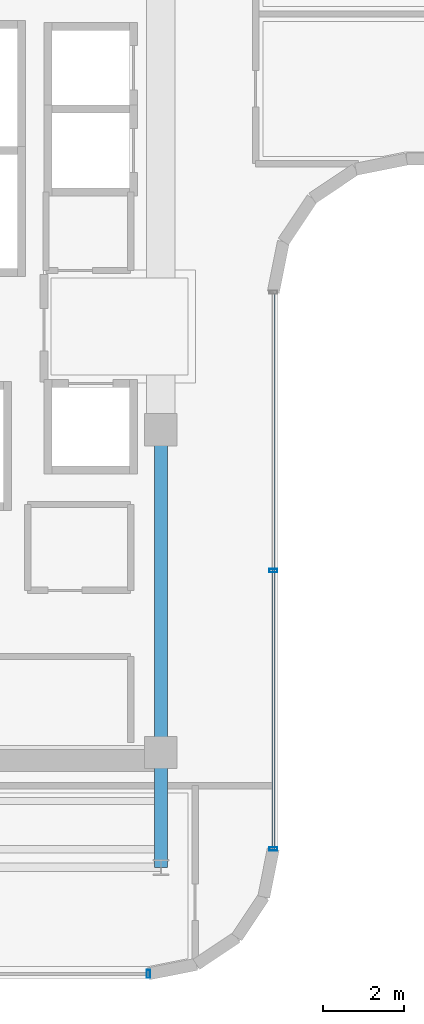
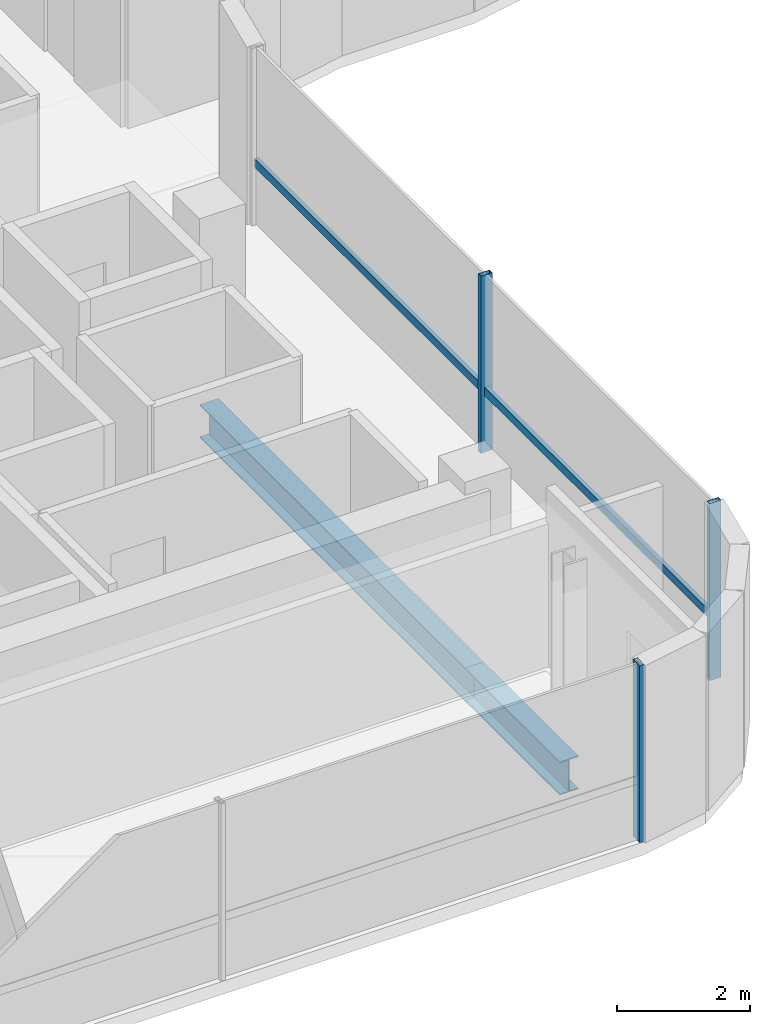
# One storey, part 5 of 18: 4 members, 2 beams, 2 elements without a shape of their own.
"""IFC4 building model written with IfcOpenShell, lengths in metres."""

from ifc_helpers import new_model, si_unit, direction, frame, origin, origin_2d, place, context, subcontext, project, spatial, hollow_rectangle, i_section, extrude, source, transform, mapped, material, material_profile, profile_set, type_object, element, aggregate, save


model = new_model("IFC4")

# Units and contexts
model_context = context("Model", 3, precision=1e-05, world=origin(), true_north=direction((0.0, 1.0)))
body_context = subcontext(model_context, "Body", "Model", "MODEL_VIEW")
ifc_project = project(units=[si_unit("LENGTHUNIT", "METRE"), si_unit("AREAUNIT", "SQUARE_METRE"), si_unit("VOLUMEUNIT", "CUBIC_METRE"), si_unit("PLANEANGLEUNIT", "RADIAN"), si_unit("MASSUNIT", "GRAM", prefix="KILO")], contexts=[model_context])

# Site, building, storey
site_placement = place(None, origin())
site = spatial("IfcSite", under=ifc_project, at=site_placement, CompositionType="ELEMENT")
building_placement = place(site_placement, origin())
building = spatial("IfcBuilding", under=site, at=building_placement, Name="Valdorenza Pilgrim Sanctuary Tower", CompositionType="ELEMENT")
storey_placement = place(building_placement, frame((0.0, 0.0, 247.5)))
storey = spatial("IfcBuildingStorey", under=building, at=storey_placement, Name="L64", CompositionType="ELEMENT", Elevation=247.5)

# Beams
ifc_material_1 = material(Name="Steel ASTM A992 Grade 50", Category="steel")
ifc_material_profile_1 = material_profile(ifc_material_1, i_section(OverallWidth=0.323974609375, OverallDepth=0.611083984375, WebThickness=0.0126953125, FlangeThickness=0.01904296875, at=origin_2d()), Name="W24X104")
ifc_profile_set_1 = profile_set([ifc_material_profile_1], Name="Steel ASTM A992 Grade 50")
beam_type = type_object("IfcBeamType", Name="STR-BM-GRD-W24B", PredefinedType="BEAM", material=ifc_profile_set_1)
shared_shape_1 = source(origin(), body_context, "Body", "SweptSolid", [
    extrude(i_section(OverallWidth=0.323974609375, OverallDepth=0.611083984375, WebThickness=0.0126953125, FlangeThickness=0.01904296875, at=origin_2d()), origin(), (0.0, 0.0, 1.0), 8.0),
])
beam_1_placement = place(storey_placement, frame((-12.39990234375, -10.60009765625, -0.54541015625), z_axis=(0.0, 1.0, 0.0), x_axis=(-1.0, 0.0, 0.0)))
element("IfcBeam", 1, at=beam_1_placement, inside=storey, type_object=beam_type, Name="L64 Core Tie Girder CA-E-S1M0", PredefinedType="BEAM", context=body_context, shape_type="MappedRepresentation", body=[
    mapped(shared_shape_1, transform((0.0, 0.0, 0.0), x_axis=(1.0, 0.0, 0.0), y_axis=(0.0, 1.0, 0.0), z_axis=(0.0, 0.0, 1.0), scale=1.0)),
])
shared_shape_2 = source(origin(), body_context, "Body", "SweptSolid", [
    extrude(i_section(OverallWidth=0.323974609375, OverallDepth=0.611083984375, WebThickness=0.0126953125, FlangeThickness=0.01904296875, at=origin_2d()), origin(), (0.0, 0.0, 1.0), 2.849853515625),
])
beam_2_placement = place(storey_placement, frame((-12.39990234375, -13.449951171875, -0.54541015625), z_axis=(0.0, 1.0, 0.0), x_axis=(-1.0, 0.0, 0.0)))
element("IfcBeam", 2, at=beam_2_placement, inside=storey, type_object=beam_type, Name="L64 Floor Girder WA-S-LE", PredefinedType="BEAM", context=body_context, shape_type="MappedRepresentation", body=[
    mapped(shared_shape_2, transform((0.0, 0.0, 0.0), x_axis=(1.0, 0.0, 0.0), y_axis=(0.0, 1.0, 0.0), z_axis=(0.0, 0.0, 1.0), scale=1.0)),
])

# Curtain wall, members
ifc_material_2 = material(Name="Curtain-wall IGU glazing", Category="glass")
curtain_wall_type = type_object("IfcCurtainWallType", Name="CW-SYS-02", PredefinedType="NOTDEFINED", material=ifc_material_2)
curtain_wall_1_placement = place(storey_placement, origin())
curtain_wall_1 = element("IfcCurtainWall", 3, at=curtain_wall_1_placement, inside=storey, type_object=curtain_wall_type, Name="L64 Curtain Wall CW-L64-1-21", PredefinedType="NOTDEFINED")
ifc_material_3 = material(Name="Anodised aluminium AW-6060", Category="aluminium")
ifc_material_profile_2 = material_profile(ifc_material_3, hollow_rectangle(XDim=0.0849609375, YDim=0.199951171875, WallThickness=0.0048828125, at=origin_2d()), Name="ALU-M 200x85x5")
ifc_profile_set_2 = profile_set([ifc_material_profile_2], Name="Anodised aluminium AW-6060")
member_type_1 = type_object("IfcMemberType", Name="CW-MUL-02", PredefinedType="MULLION", material=ifc_profile_set_2)
shared_shape_3 = source(origin(), body_context, "Body", "SweptSolid", [
    extrude(hollow_rectangle(XDim=0.0849609375, YDim=0.199951171875, WallThickness=0.0048828125, at=origin_2d()), origin(), (0.0, 0.0, 1.0), 3.260009765625),
])
member_1_placement = place(storey_placement, frame((-9.610107421875, -6.089111328125, 0.0), z_axis=(0.0, 0.0, 1.0), x_axis=(0.0, -1.0, 0.0)))
member_1 = element("IfcMember", 4, at=member_1_placement, type_object=member_type_1, Name="CW-L64-1-21 Mullion 2", PredefinedType="MULLION", context=body_context, shape_type="MappedRepresentation", body=[
    mapped(shared_shape_3, transform((0.0, 0.0, 0.0), x_axis=(1.0, 0.0, 0.0), y_axis=(0.0, 1.0, 0.0), z_axis=(0.0, 0.0, 1.0), scale=1.0)),
])
member_2_placement = place(storey_placement, frame((-9.610107421875, -12.9892578125, 0.0), z_axis=(0.0, 0.0, 1.0), x_axis=(0.0, -1.0, 0.0)))
member_2 = element("IfcMember", 5, at=member_2_placement, type_object=member_type_1, Name="CW-L64-1-21 Mullion 3", PredefinedType="MULLION", context=body_context, shape_type="MappedRepresentation", body=[
    mapped(shared_shape_3, transform((0.0, 0.0, 0.0), x_axis=(1.0, 0.0, 0.0), y_axis=(0.0, 1.0, 0.0), z_axis=(0.0, 0.0, 1.0), scale=1.0)),
])

# Curtain wall, member
curtain_wall_2_placement = place(storey_placement, origin())
curtain_wall_2 = element("IfcCurtainWall", 6, at=curtain_wall_2_placement, inside=storey, type_object=curtain_wall_type, Name="L64 Curtain Wall CW-L64-1-26", PredefinedType="NOTDEFINED")
member_3_placement = place(storey_placement, frame((-12.710693359375, -16.090087890625, 0.0), z_axis=(0.0, 0.0, 1.0), x_axis=(-1.0, 0.0, 0.0)))
member_3 = element("IfcMember", 7, at=member_3_placement, type_object=member_type_1, Name="CW-L64-1-26 Mullion 1", PredefinedType="MULLION", context=body_context, shape_type="MappedRepresentation", body=[
    mapped(shared_shape_3, transform((0.0, 0.0, 0.0), x_axis=(1.0, 0.0, 0.0), y_axis=(0.0, 1.0, 0.0), z_axis=(0.0, 0.0, 1.0), scale=1.0)),
])
aggregate(curtain_wall_2, [member_3])

# Member
ifc_material_profile_3 = material_profile(ifc_material_3, hollow_rectangle(XDim=0.074951171875, YDim=0.14990234375, WallThickness=0.00390625, at=origin_2d()), Name="ALU-T 150x75x4")
ifc_profile_set_3 = profile_set([ifc_material_profile_3], Name="Anodised aluminium AW-6060")
member_type_2 = type_object("IfcMemberType", Name="CW-TRN-02", PredefinedType="USERDEFINED", material=ifc_profile_set_3)
shared_shape_4 = source(origin(), body_context, "Body", "SweptSolid", [
    extrude(hollow_rectangle(XDim=0.074951171875, YDim=0.14990234375, WallThickness=0.00390625, at=origin_2d()), origin(), (0.0, 0.0, 1.0), 13.800048828125),
])
member_4_placement = place(storey_placement, frame((-9.610107421875, 0.810791015625, 1.1201171875), z_axis=(0.0, -1.0, 0.0), x_axis=(1.0, 0.0, 0.0)))
member_4 = element("IfcMember", 8, at=member_4_placement, type_object=member_type_2, Name="CW-L64-1-21 Transom 1", ObjectType="TRANSOM", PredefinedType="USERDEFINED", context=body_context, shape_type="MappedRepresentation", body=[
    mapped(shared_shape_4, transform((0.0, 0.0, 0.0), x_axis=(1.0, 0.0, 0.0), y_axis=(0.0, 1.0, 0.0), z_axis=(0.0, 0.0, 1.0), scale=1.0)),
])

aggregate(curtain_wall_1, [member_1, member_2, member_4])

save(model, "model.ifc")
